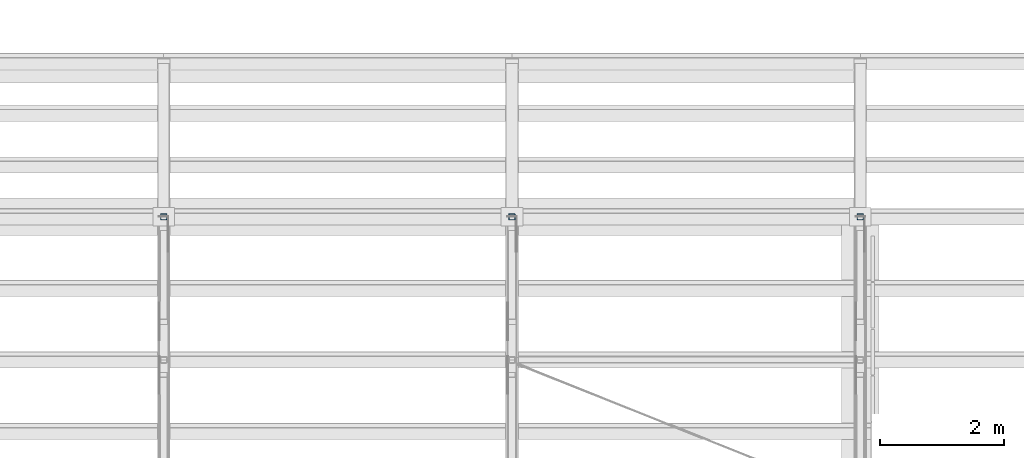
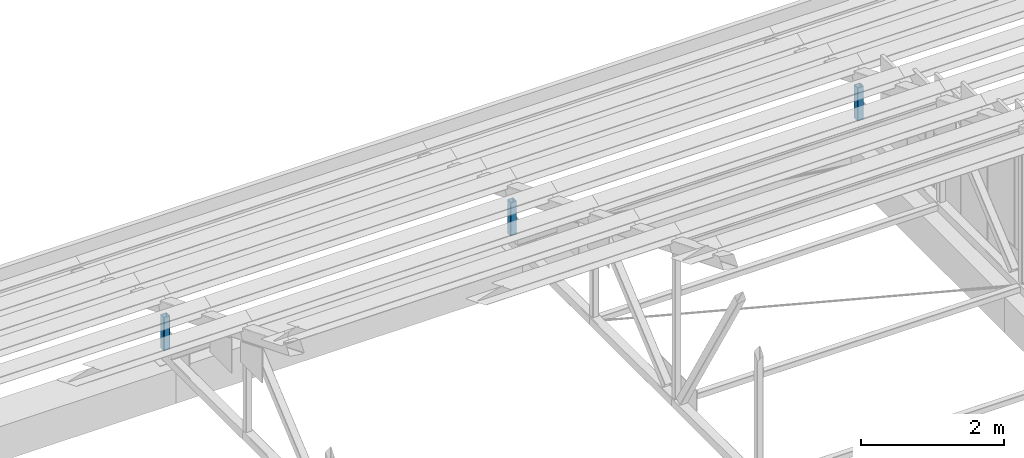
# One storey, part 34 of 71: 3 members.
"""IFC4 building model written with IfcOpenShell, lengths in metres."""

import ifcopenshell
import ifcopenshell.guid

model = None  # the IFC model being written
_history = None  # IfcOwnerHistory: only IFC2X3 demands one
_inside = {}  # id of a spatial element -> (the spatial element, [elements in it])
_under = {}  # id of a project, library or spatial element -> (it, [spatial elements below it])
_declared = {}  # id of a project -> (the project, [libraries it declares])
_typed = {}  # id of a type object -> (the type object, [elements of that type])
_made_of = {}  # id of a material, layer set ... -> (it, [elements and type objects made of it])


def new_model(schema):
    """Start an empty IFC model of exactly this schema.

    Asked for "IFC4X3", IfcOpenShell would pick the latest addendum, in which some entities
    have other attributes; the version numbers below select the first issue.
    IFC2X3 requires an IfcOwnerHistory on every rooted entity: one is made here for all.
    """
    global model, _history
    if schema == "IFC4X3":
        model = ifcopenshell.file(schema_version=(4, 3, 0, 0))
    else:
        model = ifcopenshell.file(schema=schema)
    _inside.clear()
    _under.clear()
    _declared.clear()
    _typed.clear()
    _made_of.clear()
    _history = None
    if model.schema == "IFC2X3":
        org = make("IfcOrganization", Name="unknown")
        user = make(
            "IfcPersonAndOrganization",
            ThePerson=make("IfcPerson", FamilyName="unknown"),
            TheOrganization=org,
        )
        app = make(
            "IfcApplication",
            ApplicationDeveloper=org,
            Version="unknown",
            ApplicationFullName="unknown",
            ApplicationIdentifier="unknown",
        )
        _history = make(
            "IfcOwnerHistory",
            OwningUser=user,
            OwningApplication=app,
            ChangeAction="ADDED",
            CreationDate=0,
        )
    return model


def make(cls, **values):
    """One entity of the class cls with the attributes given. An attribute that is None is left unset."""
    return model.create_entity(
        cls, **{name: value for name, value in values.items() if value is not None}
    )


def rooted(cls, **values):
    """An entity with a GlobalId (a new one), such as an element, a storey or a relation."""
    return make(cls, GlobalId=ifcopenshell.guid.new(), OwnerHistory=_history, **values)


def si_unit(unit_type, name, prefix=None):
    """IfcSIUnit, for example si_unit("LENGTHUNIT", "METRE", prefix="MILLI")."""
    return make("IfcSIUnit", UnitType=unit_type, Prefix=prefix, Name=name)


def assignment(units):
    """IfcUnitAssignment: the units of a project."""
    return None if units is None else make("IfcUnitAssignment", Units=units)


def point(xyz):
    """IfcCartesianPoint."""
    return None if xyz is None else make("IfcCartesianPoint", Coordinates=xyz)


def direction(xyz):
    """IfcDirection."""
    return None if xyz is None else make("IfcDirection", DirectionRatios=xyz)


def frame(location, z_axis=None, x_axis=None):
    """IfcAxis2Placement3D, a coordinate frame: its origin and axes. An axis left out is left unset."""
    return make(
        "IfcAxis2Placement3D",
        Location=point(location),
        Axis=direction(z_axis),
        RefDirection=direction(x_axis),
    )


def frame_2d(location, x_axis=None):
    """IfcAxis2Placement2D, a coordinate frame in the plane: its origin and x axis."""
    return make(
        "IfcAxis2Placement2D", Location=point(location), RefDirection=direction(x_axis)
    )


def origin():
    """The frame at (0, 0, 0) with its axes left unset."""
    return frame((0.0, 0.0, 0.0))


def origin_2d():
    """The frame at (0, 0) in the plane with its x axis left unset."""
    return frame_2d((0.0, 0.0))


def place(relative_to, where):
    """IfcLocalPlacement: puts the frame where relative to a parent placement (None: the world)."""
    return make(
        "IfcLocalPlacement", PlacementRelTo=relative_to, RelativePlacement=where
    )


def context(
    kind, dimensions, precision=None, world=None, true_north=None, identifier=None
):
    """IfcGeometricRepresentationContext, for example the 3D "Model" context."""
    return make(
        "IfcGeometricRepresentationContext",
        ContextIdentifier=identifier,
        ContextType=kind,
        CoordinateSpaceDimension=dimensions,
        Precision=precision,
        WorldCoordinateSystem=world,
        TrueNorth=true_north,
    )


def subcontext(parent, identifier, kind, view, scale=None):
    """IfcGeometricRepresentationSubContext, for example "Body" below "Model"."""
    return make(
        "IfcGeometricRepresentationSubContext",
        ContextIdentifier=identifier,
        ContextType=kind,
        ParentContext=parent,
        TargetScale=scale,
        TargetView=view,
    )


def project(units=None, contexts=None):
    """IfcProject with its units and contexts."""
    return rooted(
        "IfcProject",
        Name="project",
        RepresentationContexts=contexts,
        UnitsInContext=assignment(units),
    )


def spatial(cls, under=None, at=None, **own):
    """A site, building, storey or space (cls), placed at a placement, below another one or the project."""
    s = rooted(cls, ObjectPlacement=at, **own)
    if under is not None:
        _under.setdefault(under.id(), (under, []))[1].append(s)
    return s


def profile(cls, at=None, kind="AREA", **sizes):
    """A parametric profile (cls). Its sizes go by their IFC names, for example OverallWidth=200.0."""
    return make(cls, ProfileType=kind, Position=at, **sizes)


def hollow_rectangle(**sizes):
    """IfcRectangleHollowProfileDef."""
    return profile("IfcRectangleHollowProfileDef", **sizes)


def extrude(swept, where, along, depth):
    """IfcExtrudedAreaSolid: the profile swept, set in the frame where, extruded along a direction by depth."""
    return make(
        "IfcExtrudedAreaSolid",
        SweptArea=swept,
        Position=where,
        ExtrudedDirection=direction(along),
        Depth=depth,
    )


def shape(context_of_items, identifier, shape_type, items):
    """IfcShapeRepresentation: the items that make up one representation, for example the "Body"."""
    return make(
        "IfcShapeRepresentation",
        ContextOfItems=context_of_items,
        RepresentationIdentifier=identifier,
        RepresentationType=shape_type,
        Items=items,
    )


def material(Name=None, Category=None):
    """IfcMaterial."""
    return make("IfcMaterial", Name=Name, Category=Category)


def material_profile(
    of_material, cross_section, Name=None, Category=None, Priority=None
):
    """IfcMaterialProfile: a cross section and its material."""
    return make(
        "IfcMaterialProfile",
        Name=Name,
        Material=of_material,
        Profile=cross_section,
        Priority=Priority,
        Category=Category,
    )


def profile_set(profiles, Name=None, composite=None):
    """IfcMaterialProfileSet."""
    return make(
        "IfcMaterialProfileSet",
        Name=Name,
        MaterialProfiles=profiles,
        CompositeProfile=composite,
    )


def made_of(thing, what):
    """Note that an element or type object is made of a material, layer set ...; save() writes the relation."""
    if what is not None:
        _made_of.setdefault(what.id(), (what, []))[1].append(thing)
    return thing


def type_object(cls, material=None, **own):
    """A type object (cls), such as IfcWallType, which elements share."""
    return made_of(rooted(cls, **own), material)


def element(
    cls,
    number,
    at=None,
    inside=None,
    cuts=None,
    type_object=None,
    material=None,
    context=None,
    identifier="Body",
    shape_type=None,
    held_by="IfcProductDefinitionShape",
    body=None,
    shapes=None,
    **own,
):
    """One element of the class cls, such as IfcWall. Its Tag is "e" and its number.

    at: its placement. inside: the storey or other place that contains it. cuts: it is an
    opening in that element (IfcRelVoidsElement). A single representation is given by context,
    identifier, shape_type and body (its items); several are given by shapes. held_by: the class
    of the entity that holds the representations. save() writes the other relations.
    """
    e = rooted(cls, Tag="e%d" % number, ObjectPlacement=at, **own)
    if body is not None:
        shapes = [shape(context, identifier, shape_type, body)]
    if shapes is not None:
        e.Representation = make(held_by, Representations=shapes)
    if inside is not None:
        _inside.setdefault(inside.id(), (inside, []))[1].append(e)
    if cuts is not None:
        rooted(
            "IfcRelVoidsElement", RelatingBuildingElement=cuts, RelatedOpeningElement=e
        )
    if type_object is not None:
        _typed.setdefault(type_object.id(), (type_object, []))[1].append(e)
    return made_of(e, material)


def aggregate(whole, parts):
    """IfcRelAggregates: a whole, such as a stair, and the parts it consists of."""
    return rooted("IfcRelAggregates", RelatingObject=whole, RelatedObjects=parts)


def save(model, path):
    """Write the relations noted so far, then the file.

    IfcRelAggregates (storeys below a building ...), IfcRelContainedInSpatialStructure (elements
    in a storey), IfcRelDefinesByType, IfcRelAssociatesMaterial and IfcRelDeclares: one each for
    every whole, place, type object, material and project.
    """
    for whole, parts in _under.values():
        aggregate(whole, parts)
    for where, things in _inside.values():
        rooted(
            "IfcRelContainedInSpatialStructure",
            RelatedElements=things,
            RelatingStructure=where,
        )
    for kind, things in _typed.values():
        rooted("IfcRelDefinesByType", RelatedObjects=things, RelatingType=kind)
    for what, things in _made_of.values():
        rooted("IfcRelAssociatesMaterial", RelatedObjects=things, RelatingMaterial=what)
    for by, libraries in _declared.values():
        rooted("IfcRelDeclares", RelatingContext=by, RelatedDefinitions=libraries)
    model.write(path)


model = new_model("IFC4")

# Units and contexts
model_context = context("Model", 3, precision=1e-05, world=origin(), true_north=direction((0.0, 1.0)))
body_context = subcontext(model_context, "Body", "Model", "MODEL_VIEW")
ifc_project = project(units=[si_unit("LENGTHUNIT", "METRE"), si_unit("AREAUNIT", "SQUARE_METRE"), si_unit("VOLUMEUNIT", "CUBIC_METRE"), si_unit("PLANEANGLEUNIT", "RADIAN"), si_unit("MASSUNIT", "GRAM", prefix="KILO")], contexts=[model_context])

# Site, building, storey
site_placement = place(None, origin())
site = spatial("IfcSite", under=ifc_project, at=site_placement, CompositionType="ELEMENT")
building_placement = place(site_placement, origin())
building = spatial("IfcBuilding", under=site, at=building_placement, Name="Wasatch Bagh Community Centre", CompositionType="ELEMENT")
storey_placement = place(building_placement, frame((0.0, 0.0, 12.60009765625)))
storey = spatial("IfcBuildingStorey", under=building, at=storey_placement, Name="L03", CompositionType="ELEMENT", Elevation=12.60009765625)

# Members
ifc_material = material(Name="ASTM A500 Grade C steel", Category="steel")
ifc_material_profile = material_profile(ifc_material, hollow_rectangle(XDim=0.1015625, YDim=0.1015625, WallThickness=0.005859375, InnerFilletRadius=0.005859375, OuterFilletRadius=0.01171875, at=origin_2d()), Name="HSS4x4x1/4")
ifc_profile_set = profile_set([ifc_material_profile], Name="ASTM A500 Grade C steel")
member_type = type_object("IfcMemberType", Name="SH HSS4x4x1/4 post", PredefinedType="POST", material=ifc_profile_set)
for number, where, z_axis, x_axis, name in (
    (1, (134.60009765625, 65.800048828125, 0.76220703125), (0.0, 0.0, 1.0), (1.0, 0.0, 0.0), "SH.SA5.PS13"),
    (2, (140.199951171875, 65.800048828125, 0.76220703125), (0.0, 0.0, 1.0), (1.0, 0.0, 0.0), "SH.SA6.PS13"),
    (3, (145.800048828125, 65.800048828125, 0.76220703125), (0.0, 0.0, 1.0), (1.0, 0.0, 0.0), "SH.SA7.PS13"),
):
    element("IfcMember", number, at=place(storey_placement, frame(where, z_axis=z_axis, x_axis=x_axis)), inside=storey, type_object=member_type, Name=name, PredefinedType="POST", context=body_context, shape_type="SweptSolid", body=[
        extrude(hollow_rectangle(XDim=0.1015625, YDim=0.1015625, WallThickness=0.005859375, InnerFilletRadius=0.005859375, OuterFilletRadius=0.01171875, at=origin_2d()), origin(), (0.0, 0.0, 1.0), 0.5673828125),
    ])

save(model, "model.ifc")
